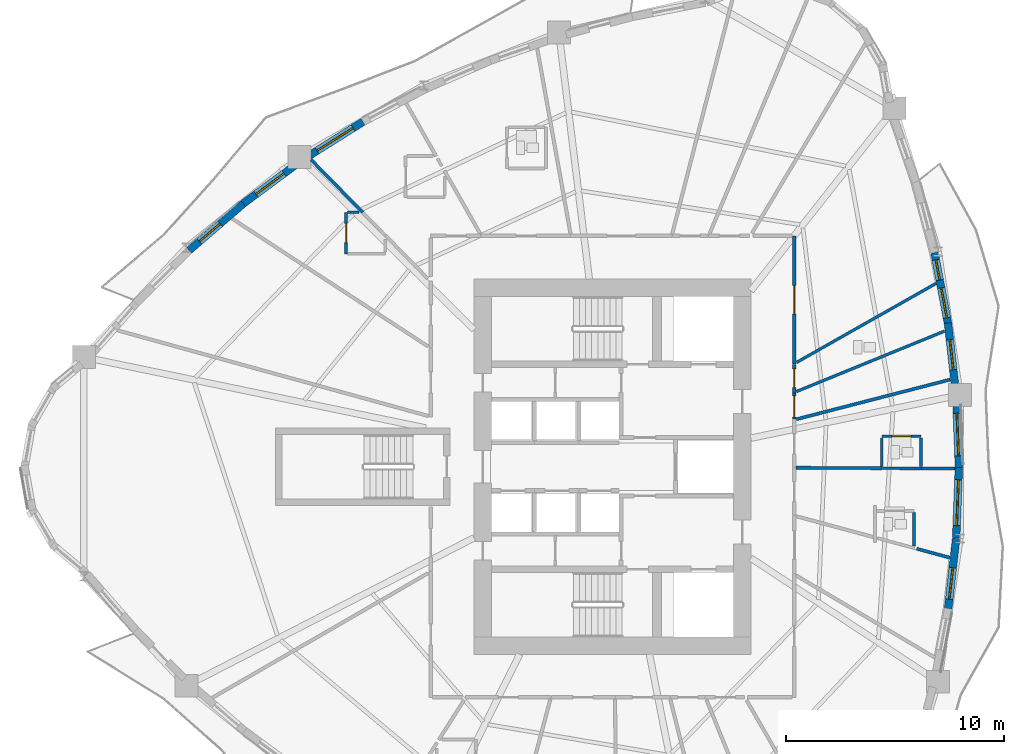
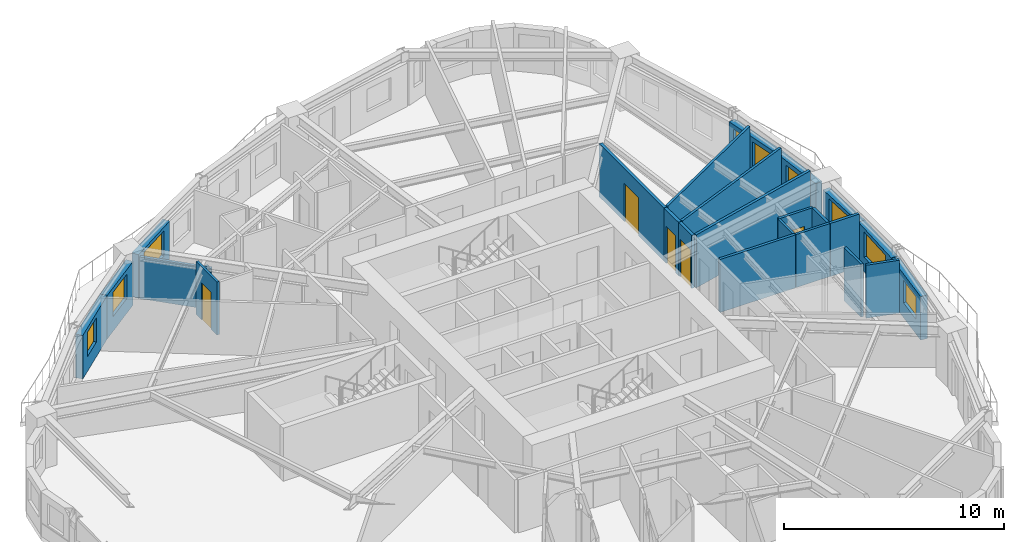
# One storey, part 7 of 13: 25 walls, 9 windows, 5 doors, 14 openings.
"""IFC4 building model written with IfcOpenShell, lengths in metres."""

from ifc_helpers import new_model, si_unit, direction, frame, frame_2d, origin, place, context, subcontext, project, spatial, rectangle, extrude, source, transform, mapped, material, layer, layer_set, type_object, element, fill, save


model = new_model("IFC4")

# Units and contexts
model_context = context("Model", 3, precision=1e-05, world=origin(), true_north=direction((0.0, 1.0)))
body_context = subcontext(model_context, "Body", "Model", "MODEL_VIEW")
ifc_project = project(units=[si_unit("LENGTHUNIT", "METRE"), si_unit("AREAUNIT", "SQUARE_METRE"), si_unit("VOLUMEUNIT", "CUBIC_METRE"), si_unit("PLANEANGLEUNIT", "RADIAN"), si_unit("MASSUNIT", "GRAM", prefix="KILO")], contexts=[model_context])

# Site, building, storey
site_placement = place(None, origin())
site = spatial("IfcSite", under=ifc_project, at=site_placement, CompositionType="ELEMENT")
building_placement = place(site_placement, origin())
building = spatial("IfcBuilding", under=site, at=building_placement, Name="Qafzar Sky-Pleat Residences", CompositionType="ELEMENT")
storey_placement = place(building_placement, frame((0.0, 0.0, 49.39990234375)))
storey = spatial("IfcBuildingStorey", under=building, at=storey_placement, Name="L14", CompositionType="ELEMENT", Elevation=49.39990234375)

# Wall, opening, door
ifc_material_1 = material(Name="Acoustic gypsum plasterboard partition", Category="gypsum")
ifc_layer_1 = layer(ifc_material_1, 0.159912109375)
ifc_layer_set_1 = layer_set([ifc_layer_1], Name="Acoustic gypsum plasterboard partition")
wall_type_1 = type_object("IfcWallType", Name="PART-COR-160", PredefinedType="PARTITIONING", material=ifc_layer_set_1)
wall_1_placement = place(storey_placement, frame((38.679931640625, 36.580078125, 0.0), z_axis=(0.0, 0.0, 1.0), x_axis=(0.0, -1.0, 0.0)))
wall_1 = element("IfcWall", 1, at=wall_1_placement, inside=storey, type_object=wall_type_1, Name="L14 Partition Wall PART-L14-PW-001", PredefinedType="PARTITIONING", context=body_context, shape_type="SweptSolid", body=[
    extrude(rectangle(XDim=5.880126953125, YDim=0.159912109375, at=frame_2d((2.93994140625, 0.0))), origin(), (0.0, 0.0, 1.0), 2.940185546875),
])
opening_1_placement = place(wall_1_placement, frame((2.281494140625, 0.0, 0.0)))
opening_1 = element("IfcOpeningElement", 2, at=opening_1_placement, cuts=wall_1, Name="Opening ID-05", PredefinedType="OPENING", context=body_context, shape_type="SweptSolid", body=[
    extrude(rectangle(XDim=1.300048828125, YDim=2.10009765625, at=frame_2d((0.64990234375, 1.050048828125))), frame((0.0, 0.08984375, 0.0), z_axis=(0.0, -1.0, 0.0), x_axis=(1.0, 0.0, 0.0)), (0.0, 0.0, 1.0), 0.179931640625),
])
ifc_material_2 = material(Name="Timber-faced fire door", Category="wood")
door_type_1 = type_object("IfcDoorType", Name="DR-LNG-1300", OperationType="DOUBLE_DOOR_SINGLE_SWING", PredefinedType="DOOR", material=ifc_material_2)
shared_shape_1 = source(origin(), body_context, "Body", "SweptSolid", [
    extrude(rectangle(XDim=1.300048828125, YDim=2.10009765625, at=frame_2d((0.64990234375, 1.050048828125))), frame((0.0, 0.02490234375, 0.0), z_axis=(0.0, -1.0, 0.0), x_axis=(1.0, 0.0, 0.0)), (0.0, 0.0, 1.0), 0.050048828125),
])
door_1_placement = place(opening_1_placement, origin())
door_1 = element("IfcDoor", 3, at=door_1_placement, inside=storey, type_object=door_type_1, Name="L14 Co-Living Lounge Door", OperationType="DOUBLE_DOOR_SINGLE_SWING", OverallHeight=2.10009765625, OverallWidth=1.300048828125, PredefinedType="DOOR", context=body_context, shape_type="MappedRepresentation", body=[
    mapped(shared_shape_1, transform((0.0, 0.0, 0.0), x_axis=(1.0, 0.0, 0.0), y_axis=(0.0, 1.0, 0.0), z_axis=(0.0, 0.0, 1.0), scale=1.0)),
])
fill(opening_1, door_1)

wall_2_placement = place(storey_placement, frame((38.679931640625, 30.68505859375, 0.0), z_axis=(0.0, 0.0, 1.0), x_axis=(0.0, -1.0, 0.0)))
wall_2 = element("IfcWall", 4, at=wall_2_placement, inside=storey, type_object=wall_type_1, Name="L14 Partition Wall PART-L14-PW-028", PredefinedType="PARTITIONING", context=body_context, shape_type="SweptSolid", body=[
    extrude(rectangle(XDim=1.301025390625, YDim=0.159912109375, at=frame_2d((0.650390625, 0.0))), origin(), (0.0, 0.0, 1.0), 2.940185546875),
])
opening_2_placement = place(wall_2_placement, frame((0.199951171875, 0.0, 0.0)))
opening_2 = element("IfcOpeningElement", 5, at=opening_2_placement, cuts=wall_2, Name="Opening ID-09", PredefinedType="OPENING", context=body_context, shape_type="SweptSolid", body=[
    extrude(rectangle(XDim=0.860107421875, YDim=2.050048828125, at=frame_2d((0.43017578125, 1.02490234375))), frame((0.0, 0.08984375, 0.0), z_axis=(0.0, -1.0, 0.0), x_axis=(1.0, 0.0, 0.0)), (0.0, 0.0, 1.0), 0.179931640625),
])
door_type_2 = type_object("IfcDoorType", Name="DR-SVC-860", OperationType="NOTDEFINED", PredefinedType="DOOR", material=ifc_material_2)
shared_shape_2 = source(origin(), body_context, "Body", "SweptSolid", [
    extrude(rectangle(XDim=0.860107421875, YDim=2.050048828125, at=frame_2d((0.43017578125, 1.02490234375))), frame((0.0, 0.02490234375, 0.0), z_axis=(0.0, -1.0, 0.0), x_axis=(1.0, 0.0, 0.0)), (0.0, 0.0, 1.0), 0.050048828125),
])
door_2_placement = place(opening_2_placement, origin())
door_2 = element("IfcDoor", 6, at=door_2_placement, inside=storey, type_object=door_type_2, Name="L14 Accessible Shared Washroom Door", OperationType="SINGLE_SWING_RIGHT", OverallHeight=2.050048828125, OverallWidth=0.860107421875, PredefinedType="DOOR", context=body_context, shape_type="MappedRepresentation", body=[
    mapped(shared_shape_2, transform((0.0, 0.0, 0.0), x_axis=(1.0, 0.0, 0.0), y_axis=(0.0, 1.0, 0.0), z_axis=(0.0, 0.0, 1.0), scale=1.0)),
])
fill(opening_2, door_2)

wall_3_placement = place(storey_placement, frame((38.679931640625, 29.368896484375, 0.0), z_axis=(0.0, 0.0, 1.0), x_axis=(0.0, -1.0, 0.0)))
wall_3 = element("IfcWall", 7, at=wall_3_placement, inside=storey, type_object=wall_type_1, Name="L14 Partition Wall PART-L14-PW-029", PredefinedType="PARTITIONING", context=body_context, shape_type="SweptSolid", body=[
    extrude(rectangle(XDim=1.18994140625, YDim=0.159912109375, at=frame_2d((0.594970703125, 0.0))), origin(), (0.0, 0.0, 1.0), 2.940185546875),
])
opening_3_placement = place(wall_3_placement, frame((0.12646484375, 0.0, 0.0)))
opening_3 = element("IfcOpeningElement", 8, at=opening_3_placement, cuts=wall_3, Name="Opening ID-06", PredefinedType="OPENING", context=body_context, shape_type="SweptSolid", body=[
    extrude(rectangle(XDim=0.9599609375, YDim=2.10009765625, at=frame_2d((0.47998046875, 1.050048828125))), frame((0.0, 0.08984375, 0.0), z_axis=(0.0, -1.0, 0.0), x_axis=(1.0, 0.0, 0.0)), (0.0, 0.0, 1.0), 0.179931640625),
])
door_type_3 = type_object("IfcDoorType", Name="DR-STD-960", OperationType="NOTDEFINED", PredefinedType="DOOR", material=ifc_material_2)
shared_shape_3 = source(origin(), body_context, "Body", "SweptSolid", [
    extrude(rectangle(XDim=0.9599609375, YDim=2.10009765625, at=frame_2d((0.47998046875, 1.050048828125))), frame((0.0, 0.02490234375, 0.0), z_axis=(0.0, -1.0, 0.0), x_axis=(1.0, 0.0, 0.0)), (0.0, 0.0, 1.0), 0.050048828125),
])
door_3_placement = place(opening_3_placement, origin())
door_3 = element("IfcDoor", 9, at=door_3_placement, inside=storey, type_object=door_type_3, Name="L14 Scholar Study Room Door", OperationType="SINGLE_SWING_LEFT", OverallHeight=2.10009765625, OverallWidth=0.9599609375, PredefinedType="DOOR", context=body_context, shape_type="MappedRepresentation", body=[
    mapped(shared_shape_3, transform((0.0, 0.0, 0.0), x_axis=(1.0, 0.0, 0.0), y_axis=(0.0, 1.0, 0.0), z_axis=(0.0, 0.0, 1.0), scale=1.0)),
])
fill(opening_3, door_3)

# Walls
ifc_layer_2 = layer(ifc_material_1, 0.14501953125)
ifc_layer_set_2 = layer_set([ifc_layer_2], Name="Acoustic gypsum plasterboard partition")
wall_type_2 = type_object("IfcWallType", Name="PART-UNIT-145", PredefinedType="PARTITIONING", material=ifc_layer_set_2)
wall_4_placement = place(storey_placement, frame((38.785888671875, 28.17529296875, 0.0), z_axis=(0.0, 0.0, 1.0), x_axis=(0.96830505458, 0.249770537242, 0.0)))
element("IfcWall", 10, at=wall_4_placement, inside=storey, type_object=wall_type_2, Name="L14 Partition Wall PART-L14-PW-043", PredefinedType="PARTITIONING", context=body_context, shape_type="SweptSolid", body=[
    extrude(rectangle(XDim=7.281982421875, YDim=0.14501953125, at=frame_2d((3.64111328125, 0.0))), origin(), (0.0, 0.0, 1.0), 2.940185546875),
])
wall_5_placement = place(storey_placement, frame((38.768310546875, 25.952392578125, 0.0), z_axis=(0.0, 0.0, 1.0), x_axis=(0.999983822916, -0.005688049444, 0.0)))
element("IfcWall", 11, at=wall_5_placement, inside=storey, type_object=wall_type_2, Name="L14 Partition Wall PART-L14-PW-047", PredefinedType="PARTITIONING", context=body_context, shape_type="SweptSolid", body=[
    extrude(rectangle(XDim=3.94873046875, YDim=0.14501953125, at=frame_2d((1.974365234375, 0.0))), origin(), (0.0, 0.0, 1.0), 2.940185546875),
])
wall_6_placement = place(storey_placement, frame((16.529052734375, 40.08056640625, 0.0), z_axis=(0.0, 0.0, 1.0), x_axis=(0.700331657038, -0.713817602859, 0.0)))
element("IfcWall", 12, at=wall_6_placement, inside=storey, type_object=wall_type_2, Name="L14 Partition Wall PART-L14-PW-051", PredefinedType="PARTITIONING", context=body_context, shape_type="SweptSolid", body=[
    extrude(rectangle(XDim=3.38525390625, YDim=0.14501953125, at=frame_2d((1.692626953125, 0.0))), origin(), (0.0, 0.0, 1.0), 2.30810546875),
])
wall_7_placement = place(storey_placement, frame((44.30517578125, 22.23828125, 0.0), z_axis=(0.0, 0.0, 1.0), x_axis=(0.96544085657, -0.260622240925, 0.0)))
element("IfcWall", 13, at=wall_7_placement, inside=storey, type_object=wall_type_2, Name="L14 Partition Wall PART-L14-PW-072", PredefinedType="PARTITIONING", context=body_context, shape_type="SweptSolid", body=[
    extrude(rectangle(XDim=1.5654296875, YDim=0.14501953125, at=frame_2d((0.78271484375, 0.0))), origin(), (0.0, 0.0, 1.0), 2.940185546875),
])
wall_8_placement = place(storey_placement, frame((44.531982421875, 25.919677734375, 0.0), z_axis=(0.0, 0.0, 1.0), x_axis=(0.999984138171, -0.00563235353, 0.0)))
element("IfcWall", 14, at=wall_8_placement, inside=storey, type_object=wall_type_2, Name="L14 Partition Wall PART-L14-PW-077", PredefinedType="PARTITIONING", context=body_context, shape_type="SweptSolid", body=[
    extrude(rectangle(XDim=1.51708984375, YDim=0.14501953125, at=frame_2d((0.758544921875, 0.0))), origin(), (0.0, 0.0, 1.0), 2.940185546875),
])

# Wall, opening, door
ifc_material_3 = material(Name="Moisture-resistant gypsum partition", Category="gypsum")
ifc_layer_3 = layer(ifc_material_3, 0.1298828125)
ifc_layer_set_3 = layer_set([ifc_layer_3], Name="Moisture-resistant gypsum partition")
wall_type_3 = type_object("IfcWallType", Name="PART-WET-130", PredefinedType="PARTITIONING", material=ifc_layer_set_3)
wall_9_placement = place(storey_placement, frame((18.137939453125, 37.6640625, 0.0), z_axis=(0.0, 0.0, 1.0), x_axis=(0.0, -1.0, 0.0)))
wall_9 = element("IfcWall", 15, at=wall_9_placement, inside=storey, type_object=wall_type_3, Name="L14 Partition Wall PART-L14-PW-019", PredefinedType="PARTITIONING", context=body_context, shape_type="SweptSolid", body=[
    extrude(rectangle(XDim=1.900146484375, YDim=0.1298828125, at=frame_2d((0.9501953125, 0.0))), origin(), (0.0, 0.0, 1.0), 2.940185546875),
])
opening_4_placement = place(wall_9_placement, frame((0.510009765625, 0.0, 0.0)))
opening_4 = element("IfcOpeningElement", 16, at=opening_4_placement, cuts=wall_9, Name="Opening ID-07", PredefinedType="OPENING", context=body_context, shape_type="SweptSolid", body=[
    extrude(rectangle(XDim=0.8798828125, YDim=2.050048828125, at=frame_2d((0.43994140625, 1.02490234375))), frame((0.0, 0.074951171875, 0.0), z_axis=(0.0, -1.0, 0.0), x_axis=(1.0, 0.0, 0.0)), (0.0, 0.0, 1.0), 0.14990234375),
])
door_type_4 = type_object("IfcDoorType", Name="DR-WET-880", OperationType="NOTDEFINED", PredefinedType="DOOR", material=ifc_material_2)
shared_shape_4 = source(origin(), body_context, "Body", "SweptSolid", [
    extrude(rectangle(XDim=0.8798828125, YDim=2.050048828125, at=frame_2d((0.43994140625, 1.02490234375))), frame((0.0, 0.02490234375, 0.0), z_axis=(0.0, -1.0, 0.0), x_axis=(1.0, 0.0, 0.0)), (0.0, 0.0, 1.0), 0.050048828125),
])
door_4_placement = place(opening_4_placement, origin())
door_4 = element("IfcDoor", 17, at=door_4_placement, inside=storey, type_object=door_type_4, Name="L14 En-suite Bathroom 8 Door", OperationType="SINGLE_SWING_LEFT", OverallHeight=2.050048828125, OverallWidth=0.8798828125, PredefinedType="DOOR", context=body_context, shape_type="MappedRepresentation", body=[
    mapped(shared_shape_4, transform((0.0, 0.0, 0.0), x_axis=(1.0, 0.0, 0.0), y_axis=(0.0, 1.0, 0.0), z_axis=(0.0, 0.0, 1.0), scale=1.0)),
])
fill(opening_4, door_4)

wall_10_placement = place(storey_placement, frame((44.501953125, 27.39990234375, 0.0), z_axis=(0.0, 0.0, 1.0), x_axis=(-1.0, 0.0, 0.0)))
wall_10 = element("IfcWall", 18, at=wall_10_placement, inside=storey, type_object=wall_type_3, Name="L14 Partition Wall PART-L14-PW-023", PredefinedType="PARTITIONING", context=body_context, shape_type="SweptSolid", body=[
    extrude(rectangle(XDim=1.800048828125, YDim=0.1298828125, at=frame_2d((0.89990234375, 0.0))), origin(), (0.0, 0.0, 1.0), 2.940185546875),
])
opening_5_placement = place(wall_10_placement, frame((0.4599609375, 0.0, 0.0)))
opening_5 = element("IfcOpeningElement", 19, at=opening_5_placement, cuts=wall_10, Name="Opening ID-07", PredefinedType="OPENING", context=body_context, shape_type="SweptSolid", body=[
    extrude(rectangle(XDim=0.8798828125, YDim=2.050048828125, at=frame_2d((0.43994140625, 1.02490234375))), frame((0.0, 0.074951171875, 0.0), z_axis=(0.0, -1.0, 0.0), x_axis=(1.0, 0.0, 0.0)), (0.0, 0.0, 1.0), 0.14990234375),
])
door_5_placement = place(opening_5_placement, origin())
door_5 = element("IfcDoor", 20, at=door_5_placement, inside=storey, type_object=door_type_4, Name="L14 En-suite Bathroom 4 Door", OperationType="SINGLE_SWING_LEFT", OverallHeight=2.050048828125, OverallWidth=0.8798828125, PredefinedType="DOOR", context=body_context, shape_type="MappedRepresentation", body=[
    mapped(shared_shape_4, transform((0.0, 0.0, 0.0), x_axis=(1.0, 0.0, 0.0), y_axis=(0.0, 1.0, 0.0), z_axis=(0.0, 0.0, 1.0), scale=1.0)),
])
fill(opening_5, door_5)

# Walls
wall_11_placement = place(storey_placement, frame((38.799072265625, 30.784423828125, 0.0), z_axis=(0.0, 0.0, 1.0), x_axis=(0.870159349722, 0.492770439547, 0.0)))
element("IfcWall", 21, at=wall_11_placement, inside=storey, type_object=wall_type_3, Name="L14 Partition Wall PART-L14-PW-041", PredefinedType="PARTITIONING", context=body_context, shape_type="SweptSolid", body=[
    extrude(rectangle(XDim=7.352783203125, YDim=0.1298828125, at=frame_2d((3.67626953125, 0.0))), origin(), (0.0, 0.0, 1.0), 2.940185546875),
])
wall_12_placement = place(storey_placement, frame((38.7919921875, 29.44677734375, 0.0), z_axis=(0.0, 0.0, 1.0), x_axis=(0.925857634668, 0.377872518618, 0.0)))
element("IfcWall", 22, at=wall_12_placement, inside=storey, type_object=wall_type_3, Name="L14 Partition Wall PART-L14-PW-042", PredefinedType="PARTITIONING", context=body_context, shape_type="SweptSolid", body=[
    extrude(rectangle(XDim=7.327880859375, YDim=0.1298828125, at=frame_2d((3.6640625, 0.0))), origin(), (0.0, 0.0, 1.0), 2.940185546875),
])
wall_13_placement = place(storey_placement, frame((42.73193359375, 25.9296875, 0.0), z_axis=(0.0, 0.0, 1.0), x_axis=(0.999985037372, -0.005470377666, 0.0)))
element("IfcWall", 23, at=wall_13_placement, inside=storey, type_object=wall_type_3, Name="L14 Partition Wall PART-L14-PW-068", PredefinedType="PARTITIONING", context=body_context, shape_type="SweptSolid", body=[
    extrude(rectangle(XDim=1.78515625, YDim=0.1298828125, at=frame_2d((0.892578125, 0.0))), origin(), (0.0, 0.0, 1.0), 2.940185546875),
])
wall_14_placement = place(storey_placement, frame((44.18408203125, 22.36376953125, 0.0), z_axis=(0.0, 0.0, 1.0), x_axis=(0.0, 1.0, 0.0)))
element("IfcWall", 24, at=wall_14_placement, inside=storey, type_object=wall_type_3, Name="L14 Partition Wall PART-L14-PW-070", PredefinedType="PARTITIONING", context=body_context, shape_type="SweptSolid", body=[
    extrude(rectangle(XDim=1.53515625, YDim=0.1298828125, at=frame_2d((0.767578125, 0.0))), origin(), (0.0, 0.0, 1.0), 2.940185546875),
])
wall_15_placement = place(storey_placement, frame((44.501953125, 26.0009765625, 0.0), z_axis=(0.0, 0.0, 1.0), x_axis=(0.0, 1.0, 0.0)))
element("IfcWall", 25, at=wall_15_placement, inside=storey, type_object=wall_type_3, Name="L14 Partition Wall PART-L14-PW-078", PredefinedType="PARTITIONING", context=body_context, shape_type="SweptSolid", body=[
    extrude(rectangle(XDim=1.325927734375, YDim=0.1298828125, at=frame_2d((0.6630859375, 0.0))), origin(), (0.0, 0.0, 1.0), 2.940185546875),
])
wall_16_placement = place(storey_placement, frame((42.701904296875, 26.010986328125, 0.0), z_axis=(0.0, 0.0, 1.0), x_axis=(0.0, 1.0, 0.0)))
element("IfcWall", 26, at=wall_16_placement, inside=storey, type_object=wall_type_3, Name="L14 Partition Wall PART-L14-PW-079", PredefinedType="PARTITIONING", context=body_context, shape_type="SweptSolid", body=[
    extrude(rectangle(XDim=1.31591796875, YDim=0.1298828125, at=frame_2d((0.657958984375, 0.0))), origin(), (0.0, 0.0, 1.0), 2.940185546875),
])
wall_17_placement = place(storey_placement, frame((18.2109375, 37.6640625, 0.0), z_axis=(0.0, 0.0, 1.0), x_axis=(1.0, 0.0, 0.0)))
element("IfcWall", 27, at=wall_17_placement, inside=storey, type_object=wall_type_3, Name="L14 Partition Wall PART-L14-PW-086", PredefinedType="PARTITIONING", context=body_context, shape_type="SweptSolid", body=[
    extrude(rectangle(XDim=0.515869140625, YDim=0.1298828125, at=frame_2d((0.2578125, 0.0))), origin(), (0.0, 0.0, 1.0), 2.508056640625),
])

# Wall, opening, window
ifc_material_4 = material(Name="Precast concrete C40/50 with honed Riyadh limestone", Category="concrete")
ifc_layer_4 = layer(ifc_material_4, 0.35009765625)
ifc_layer_set_4 = layer_set([ifc_layer_4], Name="Precast concrete C40/50 with honed Riyadh limestone")
wall_type_4 = type_object("IfcWallType", Name="WALL-EXT-350", PredefinedType="SOLIDWALL", material=ifc_layer_set_4)
wall_18_placement = place(storey_placement, frame((45.735107421875, 19.4072265625, 0.0), z_axis=(0.0, 0.0, 1.0), x_axis=(0.113314766684, 0.993559139484, 0.0)))
wall_18 = element("IfcWall", 28, at=wall_18_placement, inside=storey, type_object=wall_type_4, Name="L14 Limestone Facade Wall 26", PredefinedType="SOLIDWALL", context=body_context, shape_type="SweptSolid", body=[
    extrude(rectangle(XDim=3.32666015625, YDim=0.35009765625, at=frame_2d((1.663330078125, 0.0))), origin(), (0.0, 0.0, 1.0), 2.420166015625),
])
opening_6_placement = place(wall_18_placement, frame((0.521240234375, 0.0, 0.820068359375)))
opening_6 = element("IfcOpeningElement", 29, at=opening_6_placement, cuts=wall_18, Name="Opening WN-15", PredefinedType="OPENING", context=body_context, shape_type="SweptSolid", body=[
    extrude(rectangle(XDim=1.449951171875, YDim=1.25, at=frame_2d((0.72509765625, 0.625))), frame((0.0, 0.18505859375, 0.0), z_axis=(0.0, -1.0, 0.0), x_axis=(1.0, 0.0, 0.0)), (0.0, 0.0, 1.0), 0.3701171875),
])
ifc_material_5 = material(Name="Solar-control low-E glass in bronze aluminium frame", Category="glass")
window_type_1 = type_object("IfcWindowType", Name="WIN-15", PartitioningType="SINGLE_PANEL", PredefinedType="WINDOW", material=ifc_material_5)
shared_shape_5 = source(origin(), body_context, "Body", "SweptSolid", [
    extrude(rectangle(XDim=1.449951171875, YDim=1.25, at=frame_2d((0.72509765625, 0.625))), frame((0.0, 0.030029296875, 0.0), z_axis=(0.0, -1.0, 0.0), x_axis=(1.0, 0.0, 0.0)), (0.0, 0.0, 1.0), 0.06005859375),
])
window_1_placement = place(opening_6_placement, origin())
window_1 = element("IfcWindow", 30, at=window_1_placement, inside=storey, type_object=window_type_1, Name="L14 Punched Facade Window 26", OverallHeight=1.25, OverallWidth=1.449951171875, PartitioningType="SINGLE_PANEL", PredefinedType="WINDOW", context=body_context, shape_type="MappedRepresentation", body=[
    mapped(shared_shape_5, transform((0.0, 0.0, 0.0), x_axis=(1.0, 0.0, 0.0), y_axis=(0.0, 1.0, 0.0), z_axis=(0.0, 0.0, 1.0), scale=1.0)),
])
fill(opening_6, window_1)

wall_19_placement = place(storey_placement, frame((46.114013671875, 22.7392578125, 0.0), z_axis=(0.0, 0.0, 1.0), x_axis=(0.038010770715, 0.999277329529, 0.0)))
wall_19 = element("IfcWall", 31, at=wall_19_placement, inside=storey, type_object=wall_type_4, Name="L14 Limestone Facade Wall 27", PredefinedType="SOLIDWALL", context=body_context, shape_type="SweptSolid", body=[
    extrude(rectangle(XDim=3.307861328125, YDim=0.35009765625, at=frame_2d((1.65380859375, 0.0))), origin(), (0.0, 0.0, 1.0), 2.420166015625),
])
opening_7_placement = place(wall_19_placement, frame((0.56396484375, 0.0, 0.820068359375)))
opening_7 = element("IfcOpeningElement", 32, at=opening_7_placement, cuts=wall_19, Name="Opening WN-07", PredefinedType="OPENING", context=body_context, shape_type="SweptSolid", body=[
    extrude(rectangle(XDim=2.10009765625, YDim=1.39990234375, at=frame_2d((1.050048828125, 0.699951171875))), frame((0.0, 0.18505859375, 0.0), z_axis=(0.0, -1.0, 0.0), x_axis=(1.0, 0.0, 0.0)), (0.0, 0.0, 1.0), 0.3701171875),
])
window_type_2 = type_object("IfcWindowType", Name="WIN-07", PartitioningType="DOUBLE_PANEL_VERTICAL", PredefinedType="WINDOW", material=ifc_material_5)
shared_shape_6 = source(origin(), body_context, "Body", "SweptSolid", [
    extrude(rectangle(XDim=2.10009765625, YDim=1.39990234375, at=frame_2d((1.050048828125, 0.699951171875))), frame((0.0, 0.030029296875, 0.0), z_axis=(0.0, -1.0, 0.0), x_axis=(1.0, 0.0, 0.0)), (0.0, 0.0, 1.0), 0.06005859375),
])
window_2_placement = place(opening_7_placement, origin())
window_2 = element("IfcWindow", 33, at=window_2_placement, inside=storey, type_object=window_type_2, Name="L14 Punched Facade Window 27", OverallHeight=1.39990234375, OverallWidth=2.10009765625, PartitioningType="SINGLE_PANEL", PredefinedType="WINDOW", context=body_context, shape_type="MappedRepresentation", body=[
    mapped(shared_shape_6, transform((0.0, 0.0, 0.0), x_axis=(1.0, 0.0, 0.0), y_axis=(0.0, 1.0, 0.0), z_axis=(0.0, 0.0, 1.0), scale=1.0)),
])
fill(opening_7, window_2)

wall_20_placement = place(storey_placement, frame((46.23974609375, 25.955322265625, 0.0), z_axis=(0.0, 0.0, 1.0), x_axis=(-0.038058423581, 0.999275515759, 0.0)))
wall_20 = element("IfcWall", 34, at=wall_20_placement, inside=storey, type_object=wall_type_4, Name="L14 Limestone Facade Wall 28", PredefinedType="SOLIDWALL", context=body_context, shape_type="SweptSolid", body=[
    extrude(rectangle(XDim=3.02783203125, YDim=0.35009765625, at=frame_2d((1.513916015625, 0.0))), origin(), (0.0, 0.0, 1.0), 2.420166015625),
])
opening_8_placement = place(wall_20_placement, frame((0.5439453125, 0.0, 0.820068359375)))
opening_8 = element("IfcOpeningElement", 35, at=opening_8_placement, cuts=wall_20, Name="Opening WN-08", PredefinedType="OPENING", context=body_context, shape_type="SweptSolid", body=[
    extrude(rectangle(XDim=1.949951171875, YDim=1.39990234375, at=frame_2d((0.97509765625, 0.699951171875))), frame((0.0, 0.18505859375, 0.0), z_axis=(0.0, -1.0, 0.0), x_axis=(1.0, 0.0, 0.0)), (0.0, 0.0, 1.0), 0.3701171875),
])
window_type_3 = type_object("IfcWindowType", Name="WIN-08", PartitioningType="DOUBLE_PANEL_VERTICAL", PredefinedType="WINDOW", material=ifc_material_5)
shared_shape_7 = source(origin(), body_context, "Body", "SweptSolid", [
    extrude(rectangle(XDim=1.949951171875, YDim=1.39990234375, at=frame_2d((0.97509765625, 0.699951171875))), frame((0.0, 0.030029296875, 0.0), z_axis=(0.0, -1.0, 0.0), x_axis=(1.0, 0.0, 0.0)), (0.0, 0.0, 1.0), 0.06005859375),
])
window_3_placement = place(opening_8_placement, origin())
window_3 = element("IfcWindow", 36, at=window_3_placement, inside=storey, type_object=window_type_3, Name="L14 Punched Facade Window 28", OverallHeight=1.39990234375, OverallWidth=1.949951171875, PartitioningType="SINGLE_PANEL", PredefinedType="WINDOW", context=body_context, shape_type="MappedRepresentation", body=[
    mapped(shared_shape_7, transform((0.0, 0.0, 0.0), x_axis=(1.0, 0.0, 0.0), y_axis=(0.0, 1.0, 0.0), z_axis=(0.0, 0.0, 1.0), scale=1.0)),
])
fill(opening_8, window_3)

wall_21_placement = place(storey_placement, frame((46.080322265625, 29.565673828125, 0.0), z_axis=(0.0, 0.0, 1.0), x_axis=(-0.113307030468, 0.993560021763, 0.0)))
wall_21 = element("IfcWall", 37, at=wall_21_placement, inside=storey, type_object=wall_type_4, Name="L14 Limestone Facade Wall 29", PredefinedType="SOLIDWALL", context=body_context, shape_type="SweptSolid", body=[
    extrude(rectangle(XDim=3.046630859375, YDim=0.35009765625, at=frame_2d((1.5234375, 0.0))), origin(), (0.0, 0.0, 1.0), 2.420166015625),
])
opening_9_placement = place(wall_21_placement, frame((0.878662109375, 0.0, 0.820068359375)))
opening_9 = element("IfcOpeningElement", 38, at=opening_9_placement, cuts=wall_21, Name="Opening WN-10", PredefinedType="OPENING", context=body_context, shape_type="SweptSolid", body=[
    extrude(rectangle(XDim=1.39990234375, YDim=1.35009765625, at=frame_2d((0.699951171875, 0.675048828125))), frame((0.0, 0.18505859375, 0.0), z_axis=(0.0, -1.0, 0.0), x_axis=(1.0, 0.0, 0.0)), (0.0, 0.0, 1.0), 0.3701171875),
])
window_type_4 = type_object("IfcWindowType", Name="WIN-10", PartitioningType="SINGLE_PANEL", PredefinedType="WINDOW", material=ifc_material_5)
shared_shape_8 = source(origin(), body_context, "Body", "SweptSolid", [
    extrude(rectangle(XDim=1.39990234375, YDim=1.35009765625, at=frame_2d((0.699951171875, 0.675048828125))), frame((0.0, 0.030029296875, 0.0), z_axis=(0.0, -1.0, 0.0), x_axis=(1.0, 0.0, 0.0)), (0.0, 0.0, 1.0), 0.06005859375),
])
window_4_placement = place(opening_9_placement, origin())
window_4 = element("IfcWindow", 39, at=window_4_placement, inside=storey, type_object=window_type_4, Name="L14 Punched Facade Window 29-2", OverallHeight=1.35009765625, OverallWidth=1.39990234375, PartitioningType="SINGLE_PANEL", PredefinedType="WINDOW", context=body_context, shape_type="MappedRepresentation", body=[
    mapped(shared_shape_8, transform((0.0, 0.0, 0.0), x_axis=(1.0, 0.0, 0.0), y_axis=(0.0, 1.0, 0.0), z_axis=(0.0, 0.0, 1.0), scale=1.0)),
])
fill(opening_9, window_4)

# Wall, openings, windows
wall_22_placement = place(storey_placement, frame((45.74853515625, 32.5048828125, 0.0), z_axis=(0.0, 0.0, 1.0), x_axis=(-0.186645237066, 0.98242737924, 0.0)))
wall_22 = element("IfcWall", 40, at=wall_22_placement, inside=storey, type_object=wall_type_4, Name="L14 Limestone Facade Wall 30", PredefinedType="SOLIDWALL", context=body_context, shape_type="SweptSolid", body=[
    extrude(rectangle(XDim=3.3642578125, YDim=0.35009765625, at=frame_2d((1.68212890625, 0.0))), origin(), (0.0, 0.0, 1.0), 2.420166015625),
])
opening_10_placement = place(wall_22_placement, frame((0.329833984375, 0.0, 0.820068359375)))
opening_10 = element("IfcOpeningElement", 41, at=opening_10_placement, cuts=wall_22, Name="Opening WN-10", PredefinedType="OPENING", context=body_context, shape_type="SweptSolid", body=[
    extrude(rectangle(XDim=1.39990234375, YDim=1.35009765625, at=frame_2d((0.699951171875, 0.675048828125))), frame((0.0, 0.18505859375, 0.0), z_axis=(0.0, -1.0, 0.0), x_axis=(1.0, 0.0, 0.0)), (0.0, 0.0, 1.0), 0.3701171875),
])
opening_11_placement = place(wall_22_placement, frame((2.0869140625, 0.0, 0.820068359375)))
opening_11 = element("IfcOpeningElement", 42, at=opening_11_placement, cuts=wall_22, Name="Opening WN-12", PredefinedType="OPENING", context=body_context, shape_type="SweptSolid", body=[
    extrude(rectangle(XDim=0.949951171875, YDim=1.35009765625, at=frame_2d((0.47509765625, 0.675048828125))), frame((0.0, 0.18505859375, 0.0), z_axis=(0.0, -1.0, 0.0), x_axis=(1.0, 0.0, 0.0)), (0.0, 0.0, 1.0), 0.3701171875),
])
window_type_5 = type_object("IfcWindowType", Name="WIN-12", PartitioningType="SINGLE_PANEL", PredefinedType="WINDOW", material=ifc_material_5)
shared_shape_9 = source(origin(), body_context, "Body", "SweptSolid", [
    extrude(rectangle(XDim=0.949951171875, YDim=1.35009765625, at=frame_2d((0.47509765625, 0.675048828125))), frame((0.0, 0.030029296875, 0.0), z_axis=(0.0, -1.0, 0.0), x_axis=(1.0, 0.0, 0.0)), (0.0, 0.0, 1.0), 0.06005859375),
])
window_5_placement = place(opening_11_placement, origin())
window_5 = element("IfcWindow", 43, at=window_5_placement, inside=storey, type_object=window_type_5, Name="L14 Punched Facade Window 30-2", OverallHeight=1.35009765625, OverallWidth=0.949951171875, PartitioningType="SINGLE_PANEL", PredefinedType="WINDOW", context=body_context, shape_type="MappedRepresentation", body=[
    mapped(shared_shape_9, transform((0.0, 0.0, 0.0), x_axis=(1.0, 0.0, 0.0), y_axis=(0.0, 1.0, 0.0), z_axis=(0.0, 0.0, 1.0), scale=1.0)),
])
fill(opening_11, window_5)
window_6_placement = place(opening_10_placement, origin())
window_6 = element("IfcWindow", 44, at=window_6_placement, inside=storey, type_object=window_type_4, Name="L14 Punched Facade Window 30", OverallHeight=1.35009765625, OverallWidth=1.39990234375, PartitioningType="SINGLE_PANEL", PredefinedType="WINDOW", context=body_context, shape_type="MappedRepresentation", body=[
    mapped(shared_shape_8, transform((0.0, 0.0, 0.0), x_axis=(1.0, 0.0, 0.0), y_axis=(0.0, 1.0, 0.0), z_axis=(0.0, 0.0, 1.0), scale=1.0)),
])
fill(opening_10, window_6)

# Wall, opening, window
wall_23_placement = place(storey_placement, frame((18.9189453125, 41.818359375, 0.0), z_axis=(0.0, 0.0, 1.0), x_axis=(-0.846409172462, -0.532533109555, 0.0)))
wall_23 = element("IfcWall", 45, at=wall_23_placement, inside=storey, type_object=wall_type_4, Name="L14 Limestone Facade Wall 44", PredefinedType="SOLIDWALL", context=body_context, shape_type="SweptSolid", body=[
    extrude(rectangle(XDim=3.028076171875, YDim=0.35009765625, at=frame_2d((1.51416015625, 0.0))), origin(), (0.0, 0.0, 1.0), 2.420166015625),
])
opening_12_placement = place(wall_23_placement, frame((0.542724609375, 0.0, 0.820068359375)))
opening_12 = element("IfcOpeningElement", 46, at=opening_12_placement, cuts=wall_23, Name="Opening WN-08", PredefinedType="OPENING", context=body_context, shape_type="SweptSolid", body=[
    extrude(rectangle(XDim=1.949951171875, YDim=1.39990234375, at=frame_2d((0.97509765625, 0.699951171875))), frame((0.0, 0.18505859375, 0.0), z_axis=(0.0, -1.0, 0.0), x_axis=(1.0, 0.0, 0.0)), (0.0, 0.0, 1.0), 0.3701171875),
])
window_7_placement = place(opening_12_placement, origin())
window_7 = element("IfcWindow", 47, at=window_7_placement, inside=storey, type_object=window_type_3, Name="L14 Punched Facade Window 44", OverallHeight=1.39990234375, OverallWidth=1.949951171875, PartitioningType="SINGLE_PANEL", PredefinedType="WINDOW", context=body_context, shape_type="MappedRepresentation", body=[
    mapped(shared_shape_7, transform((0.0, 0.0, 0.0), x_axis=(1.0, 0.0, 0.0), y_axis=(0.0, 1.0, 0.0), z_axis=(0.0, 0.0, 1.0), scale=1.0)),
])
fill(opening_12, window_7)

wall_24_placement = place(storey_placement, frame((15.871826171875, 39.875244140625, 0.0), z_axis=(0.0, 0.0, 1.0), x_axis=(-0.803801282622, -0.594897888763, 0.0)))
wall_24 = element("IfcWall", 48, at=wall_24_placement, inside=storey, type_object=wall_type_4, Name="L14 Limestone Facade Wall 45", PredefinedType="SOLIDWALL", context=body_context, shape_type="SweptSolid", body=[
    extrude(rectangle(XDim=3.046630859375, YDim=0.35009765625, at=frame_2d((1.5234375, 0.0))), origin(), (0.0, 0.0, 1.0), 2.420166015625),
])
opening_13_placement = place(wall_24_placement, frame((0.718505859375, 0.0, 0.820068359375)))
opening_13 = element("IfcOpeningElement", 49, at=opening_13_placement, cuts=wall_24, Name="Opening WN-09", PredefinedType="OPENING", context=body_context, shape_type="SweptSolid", body=[
    extrude(rectangle(XDim=1.60009765625, YDim=1.35009765625, at=frame_2d((0.800048828125, 0.675048828125))), frame((0.0, 0.18505859375, 0.0), z_axis=(0.0, -1.0, 0.0), x_axis=(1.0, 0.0, 0.0)), (0.0, 0.0, 1.0), 0.3701171875),
])
window_type_6 = type_object("IfcWindowType", Name="WIN-09", PartitioningType="DOUBLE_PANEL_VERTICAL", PredefinedType="WINDOW", material=ifc_material_5)
shared_shape_10 = source(origin(), body_context, "Body", "SweptSolid", [
    extrude(rectangle(XDim=1.60009765625, YDim=1.35009765625, at=frame_2d((0.800048828125, 0.675048828125))), frame((0.0, 0.030029296875, 0.0), z_axis=(0.0, -1.0, 0.0), x_axis=(1.0, 0.0, 0.0)), (0.0, 0.0, 1.0), 0.06005859375),
])
window_8_placement = place(opening_13_placement, origin())
window_8 = element("IfcWindow", 50, at=window_8_placement, inside=storey, type_object=window_type_6, Name="L14 Punched Facade Window 45", OverallHeight=1.35009765625, OverallWidth=1.60009765625, PartitioningType="SINGLE_PANEL", PredefinedType="WINDOW", context=body_context, shape_type="MappedRepresentation", body=[
    mapped(shared_shape_10, transform((0.0, 0.0, 0.0), x_axis=(1.0, 0.0, 0.0), y_axis=(0.0, 1.0, 0.0), z_axis=(0.0, 0.0, 1.0), scale=1.0)),
])
fill(opening_13, window_8)

wall_25_placement = place(storey_placement, frame((13.4921875, 38.1181640625, 0.0), z_axis=(0.0, 0.0, 1.0), x_axis=(-0.7574607021, -0.652880758465, 0.0)))
wall_25 = element("IfcWall", 51, at=wall_25_placement, inside=storey, type_object=wall_type_4, Name="L14 Limestone Facade Wall 46", PredefinedType="SOLIDWALL", context=body_context, shape_type="SweptSolid", body=[
    extrude(rectangle(XDim=3.364013671875, YDim=0.35009765625, at=frame_2d((1.68212890625, 0.0))), origin(), (0.0, 0.0, 1.0), 2.420166015625),
])
opening_14_placement = place(wall_25_placement, frame((1.491943359375, 0.0, 0.820068359375)))
opening_14 = element("IfcOpeningElement", 52, at=opening_14_placement, cuts=wall_25, Name="Opening WN-11", PredefinedType="OPENING", context=body_context, shape_type="SweptSolid", body=[
    extrude(rectangle(XDim=1.25, YDim=1.35009765625, at=frame_2d((0.625, 0.675048828125))), frame((0.0, 0.18505859375, 0.0), z_axis=(0.0, -1.0, 0.0), x_axis=(1.0, 0.0, 0.0)), (0.0, 0.0, 1.0), 0.3701171875),
])
window_type_7 = type_object("IfcWindowType", Name="WIN-11", PartitioningType="SINGLE_PANEL", PredefinedType="WINDOW", material=ifc_material_5)
shared_shape_11 = source(origin(), body_context, "Body", "SweptSolid", [
    extrude(rectangle(XDim=1.25, YDim=1.35009765625, at=frame_2d((0.625, 0.675048828125))), frame((0.0, 0.030029296875, 0.0), z_axis=(0.0, -1.0, 0.0), x_axis=(1.0, 0.0, 0.0)), (0.0, 0.0, 1.0), 0.06005859375),
])
window_9_placement = place(opening_14_placement, origin())
window_9 = element("IfcWindow", 53, at=window_9_placement, inside=storey, type_object=window_type_7, Name="L14 Punched Facade Window 46-2", OverallHeight=1.35009765625, OverallWidth=1.25, PartitioningType="SINGLE_PANEL", PredefinedType="WINDOW", context=body_context, shape_type="MappedRepresentation", body=[
    mapped(shared_shape_11, transform((0.0, 0.0, 0.0), x_axis=(1.0, 0.0, 0.0), y_axis=(0.0, 1.0, 0.0), z_axis=(0.0, 0.0, 1.0), scale=1.0)),
])
fill(opening_14, window_9)

save(model, "model.ifc")
